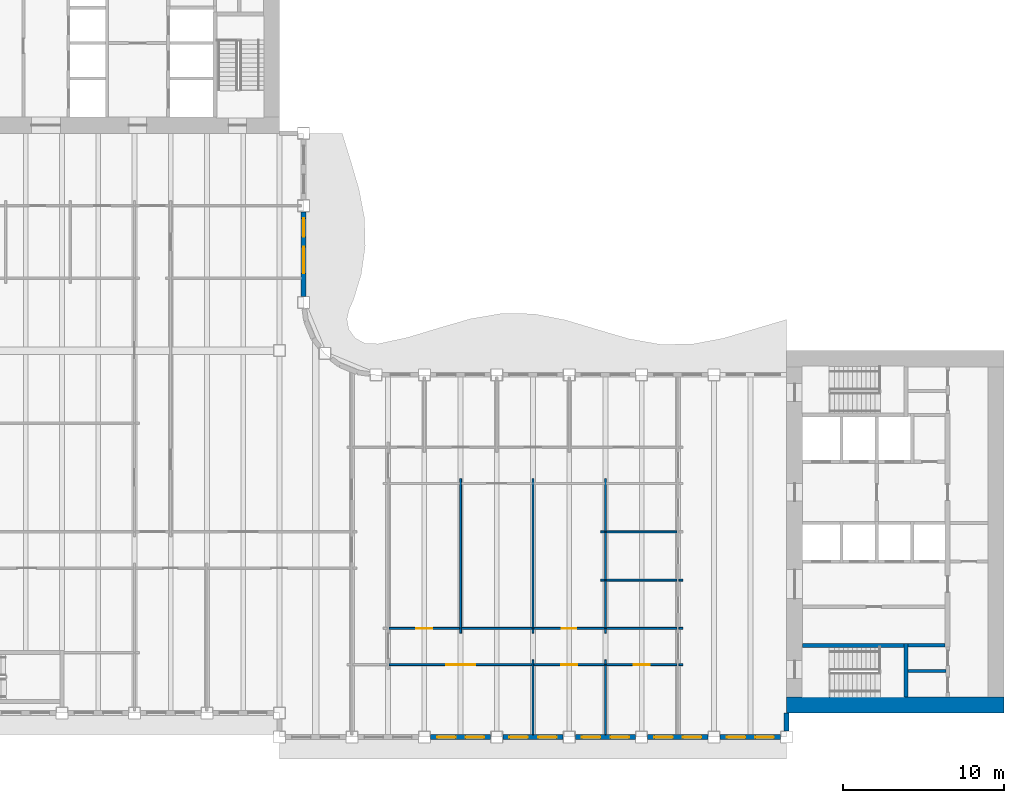
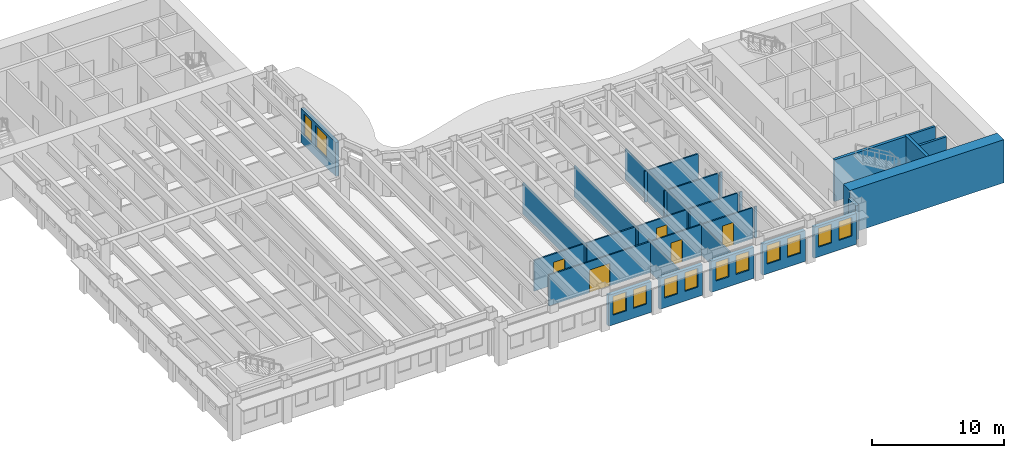
# One storey, part 5 of 16: 31 walls, 12 windows, 5 doors, 17 openings.
"""IFC4 building model written with IfcOpenShell, lengths in metres."""

from ifc_helpers import new_model, si_unit, direction, frame, frame_2d, origin, place, context, subcontext, project, spatial, rectangle, extrude, material, layer, layer_set, type_object, element, fill, save


model = new_model("IFC4")

# Units and contexts
model_context = context("Model", 3, precision=1e-05, world=origin(), true_north=direction((0.0, 1.0)))
body_context = subcontext(model_context, "Body", "Model", "MODEL_VIEW")
ifc_project = project(units=[si_unit("LENGTHUNIT", "METRE"), si_unit("AREAUNIT", "SQUARE_METRE"), si_unit("VOLUMEUNIT", "CUBIC_METRE"), si_unit("PLANEANGLEUNIT", "RADIAN"), si_unit("MASSUNIT", "GRAM", prefix="KILO")], contexts=[model_context])

# Site, building, storey
site_placement = place(None, origin())
site = spatial("IfcSite", under=ifc_project, at=site_placement, CompositionType="ELEMENT")
building_placement = place(site_placement, origin())
building = spatial("IfcBuilding", under=site, at=building_placement, Name="Sennacour Bend Tower", CompositionType="ELEMENT")
storey_placement = place(building_placement, frame((0.0, 0.0, 227.0)))
storey = spatial("IfcBuildingStorey", under=building, at=storey_placement, Name="L52", CompositionType="ELEMENT", Elevation=227.0)

# Walls
ifc_material_1 = material(Name="Concrete C60/75", Category="concrete")
ifc_layer_1 = layer(ifc_material_1, 1.0, Name="Concrete C60/75", Category="concrete")
ifc_layer_set_1 = layer_set([ifc_layer_1], Name="Concrete C60/75")
wall_type_1 = type_object("IfcWallType", Name="Core wall 1000 C60/75", PredefinedType="SHEAR", material=ifc_layer_set_1)
wall_1_placement = place(storey_placement, frame((67.5, 0.5, -0.14990234375), z_axis=(0.0, 0.0, 1.0), x_axis=(-1.0, 0.0, 0.0)))
element("IfcWall", 1, at=wall_1_placement, inside=storey, type_object=wall_type_1, Name="Core A wall L52 S", PredefinedType="SHEAR", context=body_context, shape_type="SweptSolid", body=[
    extrude(rectangle(XDim=13.5, YDim=1.0, at=frame_2d((6.75, 0.0))), origin(), (0.0, 0.0, 1.0), 4.0),
])
ifc_material_2 = material(Name="Plasterboard partition on steel studs", Category="steel")
ifc_layer_2 = layer(ifc_material_2, 0.1201171875, Name="Plasterboard partition on steel studs", Category="steel")
ifc_layer_set_2 = layer_set([ifc_layer_2], Name="Plasterboard partition on steel studs")
wall_type_2 = type_object("IfcWallType", Name="Partition 120", PredefinedType="PARTITIONING", material=ifc_layer_set_2)
wall_2_placement = place(storey_placement, frame((33.75, 4.949951171875, 0.0), z_axis=(0.0, 0.0, 1.0), x_axis=(0.0, 1.0, 0.0)))
element("IfcWall", 2, at=wall_2_placement, inside=storey, type_object=wall_type_2, Name="P-L52-W029a", PredefinedType="PARTITIONING", context=body_context, shape_type="SweptSolid", body=[
    extrude(rectangle(XDim=9.60009765625, YDim=0.1201171875, at=frame_2d((4.800048828125, 0.0))), origin(), (0.0, 0.0, 1.0), 2.8701171875),
])
wall_3_placement = place(storey_placement, frame((38.25, -1.35009765625, 0.0), z_axis=(0.0, 0.0, 1.0), x_axis=(0.0, 1.0, 0.0)))
element("IfcWall", 3, at=wall_3_placement, inside=storey, type_object=wall_type_2, Name="P-L52-W031a", PredefinedType="PARTITIONING", context=body_context, shape_type="SweptSolid", body=[
    extrude(rectangle(XDim=4.650146484375, YDim=0.1201171875, at=frame_2d((2.3251953125, 0.0))), origin(), (0.0, 0.0, 1.0), 2.8701171875),
])
wall_4_placement = place(storey_placement, frame((38.25, 4.949951171875, 0.0), z_axis=(0.0, 0.0, 1.0), x_axis=(0.0, 1.0, 0.0)))
element("IfcWall", 4, at=wall_4_placement, inside=storey, type_object=wall_type_2, Name="P-L52-W032a", PredefinedType="PARTITIONING", context=body_context, shape_type="SweptSolid", body=[
    extrude(rectangle(XDim=9.60009765625, YDim=0.1201171875, at=frame_2d((4.800048828125, 0.0))), origin(), (0.0, 0.0, 1.0), 2.8701171875),
])
wall_5_placement = place(storey_placement, frame((42.75, -1.35009765625, 0.0), z_axis=(0.0, 0.0, 1.0), x_axis=(0.0, 1.0, 0.0)))
element("IfcWall", 5, at=wall_5_placement, inside=storey, type_object=wall_type_2, Name="P-L52-W034a", PredefinedType="PARTITIONING", context=body_context, shape_type="SweptSolid", body=[
    extrude(rectangle(XDim=4.650146484375, YDim=0.1201171875, at=frame_2d((2.3251953125, 0.0))), origin(), (0.0, 0.0, 1.0), 2.8701171875),
])
wall_6_placement = place(storey_placement, frame((42.75, 4.949951171875, 0.0), z_axis=(0.0, 0.0, 1.0), x_axis=(0.0, 1.0, 0.0)))
element("IfcWall", 6, at=wall_6_placement, inside=storey, type_object=wall_type_2, Name="P-L52-W035a", PredefinedType="PARTITIONING", context=body_context, shape_type="SweptSolid", body=[
    extrude(rectangle(XDim=9.60009765625, YDim=0.1201171875, at=frame_2d((4.800048828125, 0.0))), origin(), (0.0, 0.0, 1.0), 2.8701171875),
])

# Wall, opening, door
wall_7_placement = place(storey_placement, frame((29.31005859375, 3.0, 0.0), z_axis=(0.0, 0.0, 1.0), x_axis=(1.0, 0.0, 0.0)))
wall_7 = element("IfcWall", 7, at=wall_7_placement, inside=storey, type_object=wall_type_2, Name="P-L52-W053ac", PredefinedType="PARTITIONING", context=body_context, shape_type="SweptSolid", body=[
    extrude(rectangle(XDim=8.8798828125, YDim=0.1201171875, at=frame_2d((4.43994140625, 0.0))), origin(), (0.0, 0.0, 1.0), 2.8701171875),
])
opening_1_placement = place(wall_7_placement, frame((3.539794921875, 0.0, 0.0)))
opening_1 = element("IfcOpeningElement", 8, at=opening_1_placement, cuts=wall_7, Name="Opening OD3", PredefinedType="OPENING", context=body_context, shape_type="SweptSolid", body=[
    extrude(rectangle(XDim=1.800048828125, YDim=2.10009765625, at=frame_2d((0.89990234375, 1.050048828125))), frame((0.0, 0.070068359375, 0.0), z_axis=(0.0, -1.0, 0.0), x_axis=(1.0, 0.0, 0.0)), (0.0, 0.0, 1.0), 0.14013671875),
])
ifc_material_3 = material(Name="Timber", Category="wood")
door_type_1 = type_object("IfcDoorType", Name="DR-OFFICE-1800", OperationType="NOTDEFINED", PredefinedType="DOOR", material=ifc_material_3)
door_1_placement = place(opening_1_placement, origin())
door_1 = element("IfcDoor", 9, at=door_1_placement, inside=storey, type_object=door_type_1, Name="Door", OperationType="DOUBLE_DOOR_SINGLE_SWING", OverallHeight=2.10009765625, OverallWidth=1.800048828125, PredefinedType="DOOR", context=body_context, shape_type="SweptSolid", body=[
    extrude(rectangle(XDim=1.800048828125, YDim=2.10009765625, at=frame_2d((0.89990234375, 1.050048828125))), frame((0.0, 0.02490234375, 0.0), z_axis=(0.0, -1.0, 0.0), x_axis=(1.0, 0.0, 0.0)), (0.0, 0.0, 1.0), 0.050048828125),
])
fill(opening_1, door_1)

wall_8_placement = place(storey_placement, frame((38.31005859375, 3.0, 0.0), z_axis=(0.0, 0.0, 1.0), x_axis=(1.0, 0.0, 0.0)))
wall_8 = element("IfcWall", 10, at=wall_8_placement, inside=storey, type_object=wall_type_2, Name="P-L52-W053ad", PredefinedType="PARTITIONING", context=body_context, shape_type="SweptSolid", body=[
    extrude(rectangle(XDim=4.3798828125, YDim=0.1201171875, at=frame_2d((2.18994140625, 0.0))), origin(), (0.0, 0.0, 1.0), 2.8701171875),
])
opening_2_placement = place(wall_8_placement, frame((1.68994140625, 0.0, 0.0)))
opening_2 = element("IfcOpeningElement", 11, at=opening_2_placement, cuts=wall_8, Name="Opening OD2", PredefinedType="OPENING", context=body_context, shape_type="SweptSolid", body=[
    extrude(rectangle(XDim=1.0, YDim=2.10009765625, at=frame_2d((0.5, 1.050048828125))), frame((0.0, 0.070068359375, 0.0), z_axis=(0.0, -1.0, 0.0), x_axis=(1.0, 0.0, 0.0)), (0.0, 0.0, 1.0), 0.14013671875),
])
door_type_2 = type_object("IfcDoorType", Name="DR-OFFICE-1000", OperationType="NOTDEFINED", PredefinedType="DOOR", material=ifc_material_3)
door_2_placement = place(opening_2_placement, origin())
door_2 = element("IfcDoor", 12, at=door_2_placement, inside=storey, type_object=door_type_2, Name="Door", OperationType="SINGLE_SWING_LEFT", OverallHeight=2.10009765625, OverallWidth=1.0, PredefinedType="DOOR", context=body_context, shape_type="SweptSolid", body=[
    extrude(rectangle(XDim=1.0, YDim=2.10009765625, at=frame_2d((0.5, 1.050048828125))), frame((0.0, 0.02490234375, 0.0), z_axis=(0.0, -1.0, 0.0), x_axis=(1.0, 0.0, 0.0)), (0.0, 0.0, 1.0), 0.050048828125),
])
fill(opening_2, door_2)

wall_9_placement = place(storey_placement, frame((42.81005859375, 3.0, 0.0), z_axis=(0.0, 0.0, 1.0), x_axis=(1.0, 0.0, 0.0)))
wall_9 = element("IfcWall", 13, at=wall_9_placement, inside=storey, type_object=wall_type_2, Name="P-L52-W053ae", PredefinedType="PARTITIONING", context=body_context, shape_type="SweptSolid", body=[
    extrude(rectangle(XDim=4.3798828125, YDim=0.1201171875, at=frame_2d((2.18994140625, 0.0))), origin(), (0.0, 0.0, 1.0), 2.8701171875),
])
opening_3_placement = place(wall_9_placement, frame((1.68994140625, 0.0, 0.0)))
opening_3 = element("IfcOpeningElement", 14, at=opening_3_placement, cuts=wall_9, Name="Opening OD2", PredefinedType="OPENING", context=body_context, shape_type="SweptSolid", body=[
    extrude(rectangle(XDim=1.0, YDim=2.10009765625, at=frame_2d((0.5, 1.050048828125))), frame((0.0, 0.070068359375, 0.0), z_axis=(0.0, -1.0, 0.0), x_axis=(1.0, 0.0, 0.0)), (0.0, 0.0, 1.0), 0.14013671875),
])
door_3_placement = place(opening_3_placement, origin())
door_3 = element("IfcDoor", 15, at=door_3_placement, inside=storey, type_object=door_type_2, Name="Door", OperationType="SINGLE_SWING_LEFT", OverallHeight=2.10009765625, OverallWidth=1.0, PredefinedType="DOOR", context=body_context, shape_type="SweptSolid", body=[
    extrude(rectangle(XDim=1.0, YDim=2.10009765625, at=frame_2d((0.5, 1.050048828125))), frame((0.0, 0.02490234375, 0.0), z_axis=(0.0, -1.0, 0.0), x_axis=(1.0, 0.0, 0.0)), (0.0, 0.0, 1.0), 0.050048828125),
])
fill(opening_3, door_3)

# Wall
wall_10_placement = place(storey_placement, frame((47.31005859375, 3.0, 0.0), z_axis=(0.0, 0.0, 1.0), x_axis=(1.0, 0.0, 0.0)))
element("IfcWall", 16, at=wall_10_placement, inside=storey, type_object=wall_type_2, Name="P-L52-W053af", PredefinedType="PARTITIONING", context=body_context, shape_type="SweptSolid", body=[
    extrude(rectangle(XDim=0.239990234375, YDim=0.1201171875, at=frame_2d((0.1201171875, 0.0))), origin(), (0.0, 0.0, 1.0), 2.8701171875),
])

# Wall, opening, door
wall_11_placement = place(storey_placement, frame((29.31005859375, 5.25, 0.0), z_axis=(0.0, 0.0, 1.0), x_axis=(1.0, 0.0, 0.0)))
wall_11 = element("IfcWall", 17, at=wall_11_placement, inside=storey, type_object=wall_type_2, Name="P-L52-W059ab", PredefinedType="PARTITIONING", context=body_context, shape_type="SweptSolid", body=[
    extrude(rectangle(XDim=4.3798828125, YDim=0.1201171875, at=frame_2d((2.18994140625, 0.0))), origin(), (0.0, 0.0, 1.0), 2.8701171875),
])
opening_4_placement = place(wall_11_placement, frame((1.68994140625, 0.0, 0.0)))
opening_4 = element("IfcOpeningElement", 18, at=opening_4_placement, cuts=wall_11, Name="Opening OD2", PredefinedType="OPENING", context=body_context, shape_type="SweptSolid", body=[
    extrude(rectangle(XDim=1.0, YDim=2.10009765625, at=frame_2d((0.5, 1.050048828125))), frame((0.0, 0.070068359375, 0.0), z_axis=(0.0, -1.0, 0.0), x_axis=(1.0, 0.0, 0.0)), (0.0, 0.0, 1.0), 0.14013671875),
])
door_4_placement = place(opening_4_placement, origin())
door_4 = element("IfcDoor", 19, at=door_4_placement, inside=storey, type_object=door_type_2, Name="Door", OperationType="SINGLE_SWING_LEFT", OverallHeight=2.10009765625, OverallWidth=1.0, PredefinedType="DOOR", context=body_context, shape_type="SweptSolid", body=[
    extrude(rectangle(XDim=1.0, YDim=2.10009765625, at=frame_2d((0.5, 1.050048828125))), frame((0.0, 0.02490234375, 0.0), z_axis=(0.0, -1.0, 0.0), x_axis=(1.0, 0.0, 0.0)), (0.0, 0.0, 1.0), 0.050048828125),
])
fill(opening_4, door_4)

# Walls
for number, where, z_axis, x_axis, name in (
    (20, (33.81005859375, 5.25, 0.0), (0.0, 0.0, 1.0), (1.0, 0.0, 0.0), "P-L52-W059ac"),
    (21, (42.81005859375, 5.25, 0.0), (0.0, 0.0, 1.0), (1.0, 0.0, 0.0), "P-L52-W059ae"),
):
    element("IfcWall", number, at=place(storey_placement, frame(where, z_axis=z_axis, x_axis=x_axis)), inside=storey, type_object=wall_type_2, Name=name, PredefinedType="PARTITIONING", context=body_context, shape_type="SweptSolid", body=[
        extrude(rectangle(XDim=4.3798828125, YDim=0.1201171875, at=frame_2d((2.18994140625, 0.0))), origin(), (0.0, 0.0, 1.0), 2.8701171875),
    ])
for number, where, z_axis, x_axis, name in (
    (22, (47.31005859375, 5.25, 0.0), (0.0, 0.0, 1.0), (1.0, 0.0, 0.0), "P-L52-W059af"),
    (23, (42.449951171875, 8.25, 0.0), (0.0, 0.0, 1.0), (1.0, 0.0, 0.0), "P-L52-W061aa"),
):
    element("IfcWall", number, at=place(storey_placement, frame(where, z_axis=z_axis, x_axis=x_axis)), inside=storey, type_object=wall_type_2, Name=name, PredefinedType="PARTITIONING", context=body_context, shape_type="SweptSolid", body=[
        extrude(rectangle(XDim=0.239990234375, YDim=0.1201171875, at=frame_2d((0.1201171875, 0.0))), origin(), (0.0, 0.0, 1.0), 2.8701171875),
    ])
wall_12_placement = place(storey_placement, frame((42.81005859375, 8.25, 0.0), z_axis=(0.0, 0.0, 1.0), x_axis=(1.0, 0.0, 0.0)))
element("IfcWall", 24, at=wall_12_placement, inside=storey, type_object=wall_type_2, Name="P-L52-W061ab", PredefinedType="PARTITIONING", context=body_context, shape_type="SweptSolid", body=[
    extrude(rectangle(XDim=4.3798828125, YDim=0.1201171875, at=frame_2d((2.18994140625, 0.0))), origin(), (0.0, 0.0, 1.0), 2.8701171875),
])
for number, where, z_axis, x_axis, name in (
    (25, (47.31005859375, 8.25, 0.0), (0.0, 0.0, 1.0), (1.0, 0.0, 0.0), "P-L52-W061ac"),
    (26, (42.449951171875, 11.25, 0.0), (0.0, 0.0, 1.0), (1.0, 0.0, 0.0), "P-L52-W066aa"),
):
    element("IfcWall", number, at=place(storey_placement, frame(where, z_axis=z_axis, x_axis=x_axis)), inside=storey, type_object=wall_type_2, Name=name, PredefinedType="PARTITIONING", context=body_context, shape_type="SweptSolid", body=[
        extrude(rectangle(XDim=0.239990234375, YDim=0.1201171875, at=frame_2d((0.1201171875, 0.0))), origin(), (0.0, 0.0, 1.0), 2.8701171875),
    ])
wall_13_placement = place(storey_placement, frame((42.81005859375, 11.25, 0.0), z_axis=(0.0, 0.0, 1.0), x_axis=(1.0, 0.0, 0.0)))
element("IfcWall", 27, at=wall_13_placement, inside=storey, type_object=wall_type_2, Name="P-L52-W066ab", PredefinedType="PARTITIONING", context=body_context, shape_type="SweptSolid", body=[
    extrude(rectangle(XDim=4.3798828125, YDim=0.1201171875, at=frame_2d((2.18994140625, 0.0))), origin(), (0.0, 0.0, 1.0), 2.8701171875),
])

# Wall, opening, door
ifc_layer_3 = layer(ifc_material_2, 0.1201171875, Name="Plasterboard partition on steel studs", Category="steel")
ifc_layer_set_3 = layer_set([ifc_layer_3], Name="Plasterboard partition on steel studs")
wall_type_3 = type_object("IfcWallType", Name="Partition 120 EI 60", PredefinedType="PARTITIONING", material=ifc_layer_set_3)
wall_14_placement = place(storey_placement, frame((38.31005859375, 5.25, 0.0), z_axis=(0.0, 0.0, 1.0), x_axis=(1.0, 0.0, 0.0)))
wall_14 = element("IfcWall", 28, at=wall_14_placement, inside=storey, type_object=wall_type_3, Name="P-L52-W059ad", PredefinedType="PARTITIONING", context=body_context, shape_type="SweptSolid", body=[
    extrude(rectangle(XDim=4.3798828125, YDim=0.1201171875, at=frame_2d((2.18994140625, 0.0))), origin(), (0.0, 0.0, 1.0), 2.8701171875),
])
opening_5_placement = place(wall_14_placement, frame((1.739990234375, 0.0, 0.0)))
opening_5 = element("IfcOpeningElement", 29, at=opening_5_placement, cuts=wall_14, Name="Opening SV", PredefinedType="OPENING", context=body_context, shape_type="SweptSolid", body=[
    extrude(rectangle(XDim=0.89990234375, YDim=2.10009765625, at=frame_2d((0.449951171875, 1.050048828125))), frame((0.0, 0.070068359375, 0.0), z_axis=(0.0, -1.0, 0.0), x_axis=(1.0, 0.0, 0.0)), (0.0, 0.0, 1.0), 0.14013671875),
])
ifc_material_4 = material(Name="Painted steel", Category="steel")
door_type_3 = type_object("IfcDoorType", Name="DR-SERVICE-900", OperationType="NOTDEFINED", PredefinedType="DOOR", material=ifc_material_4)
door_5_placement = place(opening_5_placement, origin())
door_5 = element("IfcDoor", 30, at=door_5_placement, inside=storey, type_object=door_type_3, Name="Door", OperationType="SINGLE_SWING_LEFT", OverallHeight=2.10009765625, OverallWidth=0.89990234375, PredefinedType="DOOR", context=body_context, shape_type="SweptSolid", body=[
    extrude(rectangle(XDim=0.89990234375, YDim=2.10009765625, at=frame_2d((0.449951171875, 1.050048828125))), frame((0.0, 0.02490234375, 0.0), z_axis=(0.0, -1.0, 0.0), x_axis=(1.0, 0.0, 0.0)), (0.0, 0.0, 1.0), 0.050048828125),
])
fill(opening_5, door_5)

# Walls
ifc_material_5 = material(Name="Fire-rated plasterboard partition on steel studs", Category="steel")
ifc_layer_4 = layer(ifc_material_5, 0.199951171875, Name="Fire-rated plasterboard partition on steel studs", Category="steel")
ifc_layer_set_4 = layer_set([ifc_layer_4], Name="Fire-rated plasterboard partition on steel studs")
wall_type_4 = type_object("IfcWallType", Name="Rated partition 200", PredefinedType="PARTITIONING", material=ifc_layer_set_4)
wall_15_placement = place(storey_placement, frame((61.52490234375, 2.60009765625, 0.0), z_axis=(0.0, 0.0, 1.0), x_axis=(1.0, 0.0, 0.0)))
element("IfcWall", 31, at=wall_15_placement, inside=storey, type_object=wall_type_4, Name="P-L52-W052", PredefinedType="PARTITIONING", context=body_context, shape_type="SweptSolid", body=[
    extrude(rectangle(XDim=2.375, YDim=0.199951171875, at=frame_2d((1.1875, 0.0))), origin(), (0.0, 0.0, 1.0), 3.85009765625),
])
wall_16_placement = place(storey_placement, frame((61.52490234375, 4.199951171875, 0.0), z_axis=(0.0, 0.0, 1.0), x_axis=(1.0, 0.0, 0.0)))
element("IfcWall", 32, at=wall_16_placement, inside=storey, type_object=wall_type_4, Name="P-L52-W058", PredefinedType="PARTITIONING", context=body_context, shape_type="SweptSolid", body=[
    extrude(rectangle(XDim=2.3251953125, YDim=0.199951171875, at=frame_2d((1.16259765625, 0.0))), origin(), (0.0, 0.0, 1.0), 3.85009765625),
])

# Wall, openings, windows
ifc_material_6 = material(Name="Warm limestone cladding", Category="masonry")
ifc_layer_5 = layer(ifc_material_6, 0.050048828125, Name="Warm limestone cladding", Category="masonry")
ifc_material_7 = material(Name="Precast concrete C40/50", Category="concrete")
ifc_layer_6 = layer(ifc_material_7, 0.25, Name="Precast concrete C40/50", Category="concrete")
ifc_layer_set_5 = layer_set([ifc_layer_5, ifc_layer_6], Name="Precast concrete C40/50 with limestone cladding")
wall_type_5 = type_object("IfcWallType", Name="STONE-CLAD PRECAST SPANDREL 300", PredefinedType="STANDARD", material=ifc_layer_set_5)
wall_17_placement = place(storey_placement, frame((31.875, -1.5, 0.0), z_axis=(0.0, 0.0, 1.0), x_axis=(1.0, 0.0, 0.0)))
wall_17 = element("IfcWall", 33, at=wall_17_placement, inside=storey, type_object=wall_type_5, Name="Stone spandrel and pier wall L52 00.02", PredefinedType="STANDARD", context=body_context, shape_type="SweptSolid", body=[
    extrude(rectangle(XDim=3.75, YDim=0.300048828125, at=frame_2d((1.875, 0.0))), origin(), (0.0, 0.0, 1.0), 2.8701171875),
])
opening_6_placement = place(wall_17_placement, frame((0.41259765625, 0.0, 0.89990234375)))
opening_6 = element("IfcOpeningElement", 34, at=opening_6_placement, cuts=wall_17, Name="Opening W23", PredefinedType="OPENING", context=body_context, shape_type="SweptSolid", body=[
    extrude(rectangle(XDim=1.14990234375, YDim=1.75, at=frame_2d((0.574951171875, 0.875))), frame((0.0, 0.16015625, 0.0), z_axis=(0.0, -1.0, 0.0), x_axis=(1.0, 0.0, 0.0)), (0.0, 0.0, 1.0), 0.320068359375),
])
opening_7_placement = place(wall_17_placement, frame((2.1875, 0.0, 0.89990234375)))
opening_7 = element("IfcOpeningElement", 35, at=opening_7_placement, cuts=wall_17, Name="Opening W23", PredefinedType="OPENING", context=body_context, shape_type="SweptSolid", body=[
    extrude(rectangle(XDim=1.14990234375, YDim=1.75, at=frame_2d((0.574951171875, 0.875))), frame((0.0, 0.16015625, 0.0), z_axis=(0.0, -1.0, 0.0), x_axis=(1.0, 0.0, 0.0)), (0.0, 0.0, 1.0), 0.320068359375),
])
ifc_material_8 = material(Name="Clear low-emissivity glass", Category="glass")
window_type_1 = type_object("IfcWindowType", Name="WIN-RIBBON-1150x1750", PartitioningType="SINGLE_PANEL", PredefinedType="WINDOW", material=ifc_material_8)
window_1_placement = place(opening_6_placement, origin())
window_1 = element("IfcWindow", 36, at=window_1_placement, inside=storey, type_object=window_type_1, Name="Ribbon window L52 00.02.0", OverallHeight=1.75, OverallWidth=1.14990234375, PartitioningType="SINGLE_PANEL", PredefinedType="WINDOW", context=body_context, shape_type="SweptSolid", body=[
    extrude(rectangle(XDim=1.14990234375, YDim=1.75, at=frame_2d((0.574951171875, 0.875))), frame((0.0, 0.030029296875, 0.0), z_axis=(0.0, -1.0, 0.0), x_axis=(1.0, 0.0, 0.0)), (0.0, 0.0, 1.0), 0.06005859375),
])
fill(opening_6, window_1)
window_2_placement = place(opening_7_placement, origin())
window_2 = element("IfcWindow", 37, at=window_2_placement, inside=storey, type_object=window_type_1, Name="Ribbon window L52 00.02.1", OverallHeight=1.75, OverallWidth=1.14990234375, PartitioningType="SINGLE_PANEL", PredefinedType="WINDOW", context=body_context, shape_type="SweptSolid", body=[
    extrude(rectangle(XDim=1.14990234375, YDim=1.75, at=frame_2d((0.574951171875, 0.875))), frame((0.0, 0.030029296875, 0.0), z_axis=(0.0, -1.0, 0.0), x_axis=(1.0, 0.0, 0.0)), (0.0, 0.0, 1.0), 0.06005859375),
])
fill(opening_7, window_2)

wall_18_placement = place(storey_placement, frame((36.375, -1.5, 0.0), z_axis=(0.0, 0.0, 1.0), x_axis=(1.0, 0.0, 0.0)))
wall_18 = element("IfcWall", 38, at=wall_18_placement, inside=storey, type_object=wall_type_5, Name="Stone spandrel and pier wall L52 00.03", PredefinedType="STANDARD", context=body_context, shape_type="SweptSolid", body=[
    extrude(rectangle(XDim=3.75, YDim=0.300048828125, at=frame_2d((1.875, 0.0))), origin(), (0.0, 0.0, 1.0), 2.8701171875),
])
opening_8_placement = place(wall_18_placement, frame((0.41259765625, 0.0, 0.89990234375)))
opening_8 = element("IfcOpeningElement", 39, at=opening_8_placement, cuts=wall_18, Name="Opening W23", PredefinedType="OPENING", context=body_context, shape_type="SweptSolid", body=[
    extrude(rectangle(XDim=1.14990234375, YDim=1.75, at=frame_2d((0.574951171875, 0.875))), frame((0.0, 0.16015625, 0.0), z_axis=(0.0, -1.0, 0.0), x_axis=(1.0, 0.0, 0.0)), (0.0, 0.0, 1.0), 0.320068359375),
])
opening_9_placement = place(wall_18_placement, frame((2.1875, 0.0, 0.89990234375)))
opening_9 = element("IfcOpeningElement", 40, at=opening_9_placement, cuts=wall_18, Name="Opening W23", PredefinedType="OPENING", context=body_context, shape_type="SweptSolid", body=[
    extrude(rectangle(XDim=1.14990234375, YDim=1.75, at=frame_2d((0.574951171875, 0.875))), frame((0.0, 0.16015625, 0.0), z_axis=(0.0, -1.0, 0.0), x_axis=(1.0, 0.0, 0.0)), (0.0, 0.0, 1.0), 0.320068359375),
])
window_3_placement = place(opening_8_placement, origin())
window_3 = element("IfcWindow", 41, at=window_3_placement, inside=storey, type_object=window_type_1, Name="Ribbon window L52 00.03.0", OverallHeight=1.75, OverallWidth=1.14990234375, PartitioningType="SINGLE_PANEL", PredefinedType="WINDOW", context=body_context, shape_type="SweptSolid", body=[
    extrude(rectangle(XDim=1.14990234375, YDim=1.75, at=frame_2d((0.574951171875, 0.875))), frame((0.0, 0.030029296875, 0.0), z_axis=(0.0, -1.0, 0.0), x_axis=(1.0, 0.0, 0.0)), (0.0, 0.0, 1.0), 0.06005859375),
])
fill(opening_8, window_3)
window_4_placement = place(opening_9_placement, origin())
window_4 = element("IfcWindow", 42, at=window_4_placement, inside=storey, type_object=window_type_1, Name="Ribbon window L52 00.03.1", OverallHeight=1.75, OverallWidth=1.14990234375, PartitioningType="SINGLE_PANEL", PredefinedType="WINDOW", context=body_context, shape_type="SweptSolid", body=[
    extrude(rectangle(XDim=1.14990234375, YDim=1.75, at=frame_2d((0.574951171875, 0.875))), frame((0.0, 0.030029296875, 0.0), z_axis=(0.0, -1.0, 0.0), x_axis=(1.0, 0.0, 0.0)), (0.0, 0.0, 1.0), 0.06005859375),
])
fill(opening_9, window_4)

wall_19_placement = place(storey_placement, frame((40.875, -1.5, 0.0), z_axis=(0.0, 0.0, 1.0), x_axis=(1.0, 0.0, 0.0)))
wall_19 = element("IfcWall", 43, at=wall_19_placement, inside=storey, type_object=wall_type_5, Name="Stone spandrel and pier wall L52 00.04", PredefinedType="STANDARD", context=body_context, shape_type="SweptSolid", body=[
    extrude(rectangle(XDim=3.75, YDim=0.300048828125, at=frame_2d((1.875, 0.0))), origin(), (0.0, 0.0, 1.0), 2.8701171875),
])
opening_10_placement = place(wall_19_placement, frame((0.41259765625, 0.0, 0.89990234375)))
opening_10 = element("IfcOpeningElement", 44, at=opening_10_placement, cuts=wall_19, Name="Opening W23", PredefinedType="OPENING", context=body_context, shape_type="SweptSolid", body=[
    extrude(rectangle(XDim=1.14990234375, YDim=1.75, at=frame_2d((0.574951171875, 0.875))), frame((0.0, 0.16015625, 0.0), z_axis=(0.0, -1.0, 0.0), x_axis=(1.0, 0.0, 0.0)), (0.0, 0.0, 1.0), 0.320068359375),
])
opening_11_placement = place(wall_19_placement, frame((2.1875, 0.0, 0.89990234375)))
opening_11 = element("IfcOpeningElement", 45, at=opening_11_placement, cuts=wall_19, Name="Opening W23", PredefinedType="OPENING", context=body_context, shape_type="SweptSolid", body=[
    extrude(rectangle(XDim=1.14990234375, YDim=1.75, at=frame_2d((0.574951171875, 0.875))), frame((0.0, 0.16015625, 0.0), z_axis=(0.0, -1.0, 0.0), x_axis=(1.0, 0.0, 0.0)), (0.0, 0.0, 1.0), 0.320068359375),
])
window_5_placement = place(opening_10_placement, origin())
window_5 = element("IfcWindow", 46, at=window_5_placement, inside=storey, type_object=window_type_1, Name="Ribbon window L52 00.04.0", OverallHeight=1.75, OverallWidth=1.14990234375, PartitioningType="SINGLE_PANEL", PredefinedType="WINDOW", context=body_context, shape_type="SweptSolid", body=[
    extrude(rectangle(XDim=1.14990234375, YDim=1.75, at=frame_2d((0.574951171875, 0.875))), frame((0.0, 0.030029296875, 0.0), z_axis=(0.0, -1.0, 0.0), x_axis=(1.0, 0.0, 0.0)), (0.0, 0.0, 1.0), 0.06005859375),
])
fill(opening_10, window_5)
window_6_placement = place(opening_11_placement, origin())
window_6 = element("IfcWindow", 47, at=window_6_placement, inside=storey, type_object=window_type_1, Name="Ribbon window L52 00.04.1", OverallHeight=1.75, OverallWidth=1.14990234375, PartitioningType="SINGLE_PANEL", PredefinedType="WINDOW", context=body_context, shape_type="SweptSolid", body=[
    extrude(rectangle(XDim=1.14990234375, YDim=1.75, at=frame_2d((0.574951171875, 0.875))), frame((0.0, 0.030029296875, 0.0), z_axis=(0.0, -1.0, 0.0), x_axis=(1.0, 0.0, 0.0)), (0.0, 0.0, 1.0), 0.06005859375),
])
fill(opening_11, window_6)

wall_20_placement = place(storey_placement, frame((45.375, -1.5, 0.0), z_axis=(0.0, 0.0, 1.0), x_axis=(1.0, 0.0, 0.0)))
wall_20 = element("IfcWall", 48, at=wall_20_placement, inside=storey, type_object=wall_type_5, Name="Stone spandrel and pier wall L52 00.05", PredefinedType="STANDARD", context=body_context, shape_type="SweptSolid", body=[
    extrude(rectangle(XDim=3.75, YDim=0.300048828125, at=frame_2d((1.875, 0.0))), origin(), (0.0, 0.0, 1.0), 2.8701171875),
])
opening_12_placement = place(wall_20_placement, frame((0.41259765625, 0.0, 0.89990234375)))
opening_12 = element("IfcOpeningElement", 49, at=opening_12_placement, cuts=wall_20, Name="Opening W23", PredefinedType="OPENING", context=body_context, shape_type="SweptSolid", body=[
    extrude(rectangle(XDim=1.14990234375, YDim=1.75, at=frame_2d((0.574951171875, 0.875))), frame((0.0, 0.16015625, 0.0), z_axis=(0.0, -1.0, 0.0), x_axis=(1.0, 0.0, 0.0)), (0.0, 0.0, 1.0), 0.320068359375),
])
opening_13_placement = place(wall_20_placement, frame((2.1875, 0.0, 0.89990234375)))
opening_13 = element("IfcOpeningElement", 50, at=opening_13_placement, cuts=wall_20, Name="Opening W23", PredefinedType="OPENING", context=body_context, shape_type="SweptSolid", body=[
    extrude(rectangle(XDim=1.14990234375, YDim=1.75, at=frame_2d((0.574951171875, 0.875))), frame((0.0, 0.16015625, 0.0), z_axis=(0.0, -1.0, 0.0), x_axis=(1.0, 0.0, 0.0)), (0.0, 0.0, 1.0), 0.320068359375),
])
window_7_placement = place(opening_12_placement, origin())
window_7 = element("IfcWindow", 51, at=window_7_placement, inside=storey, type_object=window_type_1, Name="Ribbon window L52 00.05.0", OverallHeight=1.75, OverallWidth=1.14990234375, PartitioningType="SINGLE_PANEL", PredefinedType="WINDOW", context=body_context, shape_type="SweptSolid", body=[
    extrude(rectangle(XDim=1.14990234375, YDim=1.75, at=frame_2d((0.574951171875, 0.875))), frame((0.0, 0.030029296875, 0.0), z_axis=(0.0, -1.0, 0.0), x_axis=(1.0, 0.0, 0.0)), (0.0, 0.0, 1.0), 0.06005859375),
])
fill(opening_12, window_7)
window_8_placement = place(opening_13_placement, origin())
window_8 = element("IfcWindow", 52, at=window_8_placement, inside=storey, type_object=window_type_1, Name="Ribbon window L52 00.05.1", OverallHeight=1.75, OverallWidth=1.14990234375, PartitioningType="SINGLE_PANEL", PredefinedType="WINDOW", context=body_context, shape_type="SweptSolid", body=[
    extrude(rectangle(XDim=1.14990234375, YDim=1.75, at=frame_2d((0.574951171875, 0.875))), frame((0.0, 0.030029296875, 0.0), z_axis=(0.0, -1.0, 0.0), x_axis=(1.0, 0.0, 0.0)), (0.0, 0.0, 1.0), 0.06005859375),
])
fill(opening_13, window_8)

wall_21_placement = place(storey_placement, frame((49.875, -1.5, 0.0), z_axis=(0.0, 0.0, 1.0), x_axis=(1.0, 0.0, 0.0)))
wall_21 = element("IfcWall", 53, at=wall_21_placement, inside=storey, type_object=wall_type_5, Name="Stone spandrel and pier wall L52 00.06", PredefinedType="STANDARD", context=body_context, shape_type="SweptSolid", body=[
    extrude(rectangle(XDim=3.75, YDim=0.300048828125, at=frame_2d((1.875, 0.0))), origin(), (0.0, 0.0, 1.0), 2.8701171875),
])
opening_14_placement = place(wall_21_placement, frame((0.41259765625, 0.0, 0.89990234375)))
opening_14 = element("IfcOpeningElement", 54, at=opening_14_placement, cuts=wall_21, Name="Opening W23", PredefinedType="OPENING", context=body_context, shape_type="SweptSolid", body=[
    extrude(rectangle(XDim=1.14990234375, YDim=1.75, at=frame_2d((0.574951171875, 0.875))), frame((0.0, 0.16015625, 0.0), z_axis=(0.0, -1.0, 0.0), x_axis=(1.0, 0.0, 0.0)), (0.0, 0.0, 1.0), 0.320068359375),
])
opening_15_placement = place(wall_21_placement, frame((2.1875, 0.0, 0.89990234375)))
opening_15 = element("IfcOpeningElement", 55, at=opening_15_placement, cuts=wall_21, Name="Opening W23", PredefinedType="OPENING", context=body_context, shape_type="SweptSolid", body=[
    extrude(rectangle(XDim=1.14990234375, YDim=1.75, at=frame_2d((0.574951171875, 0.875))), frame((0.0, 0.16015625, 0.0), z_axis=(0.0, -1.0, 0.0), x_axis=(1.0, 0.0, 0.0)), (0.0, 0.0, 1.0), 0.320068359375),
])
window_9_placement = place(opening_14_placement, origin())
window_9 = element("IfcWindow", 56, at=window_9_placement, inside=storey, type_object=window_type_1, Name="Ribbon window L52 00.06.0", OverallHeight=1.75, OverallWidth=1.14990234375, PartitioningType="SINGLE_PANEL", PredefinedType="WINDOW", context=body_context, shape_type="SweptSolid", body=[
    extrude(rectangle(XDim=1.14990234375, YDim=1.75, at=frame_2d((0.574951171875, 0.875))), frame((0.0, 0.030029296875, 0.0), z_axis=(0.0, -1.0, 0.0), x_axis=(1.0, 0.0, 0.0)), (0.0, 0.0, 1.0), 0.06005859375),
])
fill(opening_14, window_9)
window_10_placement = place(opening_15_placement, origin())
window_10 = element("IfcWindow", 57, at=window_10_placement, inside=storey, type_object=window_type_1, Name="Ribbon window L52 00.06.1", OverallHeight=1.75, OverallWidth=1.14990234375, PartitioningType="SINGLE_PANEL", PredefinedType="WINDOW", context=body_context, shape_type="SweptSolid", body=[
    extrude(rectangle(XDim=1.14990234375, YDim=1.75, at=frame_2d((0.574951171875, 0.875))), frame((0.0, 0.030029296875, 0.0), z_axis=(0.0, -1.0, 0.0), x_axis=(1.0, 0.0, 0.0)), (0.0, 0.0, 1.0), 0.06005859375),
])
fill(opening_15, window_10)

# Wall
wall_22_placement = place(storey_placement, frame((54.0, -1.125, 0.0), z_axis=(0.0, 0.0, 1.0), x_axis=(0.0, 1.0, 0.0)))
element("IfcWall", 58, at=wall_22_placement, inside=storey, type_object=wall_type_5, Name="Stone spandrel and pier wall L52 01.00", PredefinedType="STANDARD", context=body_context, shape_type="SweptSolid", body=[
    extrude(rectangle(XDim=1.125, YDim=0.300048828125, at=frame_2d((0.5625, 0.0))), origin(), (0.0, 0.0, 1.0), 3.156982421875),
])

# Wall, openings, windows
wall_23_placement = place(storey_placement, frame((24.0, 25.875, 0.0), z_axis=(0.0, 0.0, 1.0), x_axis=(0.0, 1.0, 0.0)))
wall_23 = element("IfcWall", 59, at=wall_23_placement, inside=storey, type_object=wall_type_5, Name="Stone spandrel and pier wall L52 13.00", PredefinedType="STANDARD", context=body_context, shape_type="SweptSolid", body=[
    extrude(rectangle(XDim=5.25, YDim=0.300048828125, at=frame_2d((2.625, 0.0))), origin(), (0.0, 0.0, 1.0), 3.156982421875),
])
opening_16_placement = place(wall_23_placement, frame((1.425048828125, 0.0, 0.89990234375)))
opening_16 = element("IfcOpeningElement", 60, at=opening_16_placement, cuts=wall_23, Name="Opening W10", PredefinedType="OPENING", context=body_context, shape_type="SweptSolid", body=[
    extrude(rectangle(XDim=1.64990234375, YDim=2.0, at=frame_2d((0.824951171875, 1.0))), frame((0.0, 0.16015625, 0.0), z_axis=(0.0, -1.0, 0.0), x_axis=(1.0, 0.0, 0.0)), (0.0, 0.0, 1.0), 0.320068359375),
])
opening_17_placement = place(wall_23_placement, frame((3.6875, 0.0, 0.89990234375)))
opening_17 = element("IfcOpeningElement", 61, at=opening_17_placement, cuts=wall_23, Name="Opening W24", PredefinedType="OPENING", context=body_context, shape_type="SweptSolid", body=[
    extrude(rectangle(XDim=1.14990234375, YDim=2.0, at=frame_2d((0.574951171875, 1.0))), frame((0.0, 0.16015625, 0.0), z_axis=(0.0, -1.0, 0.0), x_axis=(1.0, 0.0, 0.0)), (0.0, 0.0, 1.0), 0.320068359375),
])
window_type_2 = type_object("IfcWindowType", Name="WIN-RIBBON-1150x2000", PartitioningType="SINGLE_PANEL", PredefinedType="WINDOW", material=ifc_material_8)
window_11_placement = place(opening_17_placement, origin())
window_11 = element("IfcWindow", 62, at=window_11_placement, inside=storey, type_object=window_type_2, Name="Ribbon window L52 13.00.1", OverallHeight=2.0, OverallWidth=1.14990234375, PartitioningType="SINGLE_PANEL", PredefinedType="WINDOW", context=body_context, shape_type="SweptSolid", body=[
    extrude(rectangle(XDim=1.14990234375, YDim=2.0, at=frame_2d((0.574951171875, 1.0))), frame((0.0, 0.030029296875, 0.0), z_axis=(0.0, -1.0, 0.0), x_axis=(1.0, 0.0, 0.0)), (0.0, 0.0, 1.0), 0.06005859375),
])
fill(opening_17, window_11)
window_type_3 = type_object("IfcWindowType", Name="WIN-RIBBON-1650x2000", PartitioningType="SINGLE_PANEL", PredefinedType="WINDOW", material=ifc_material_8)
window_12_placement = place(opening_16_placement, origin())
window_12 = element("IfcWindow", 63, at=window_12_placement, inside=storey, type_object=window_type_3, Name="Ribbon window L52 13.00.0", OverallHeight=2.0, OverallWidth=1.64990234375, PartitioningType="SINGLE_PANEL", PredefinedType="WINDOW", context=body_context, shape_type="SweptSolid", body=[
    extrude(rectangle(XDim=1.64990234375, YDim=2.0, at=frame_2d((0.824951171875, 1.0))), frame((0.0, 0.030029296875, 0.0), z_axis=(0.0, -1.0, 0.0), x_axis=(1.0, 0.0, 0.0)), (0.0, 0.0, 1.0), 0.06005859375),
])
fill(opening_16, window_12)

# Walls
ifc_layer_7 = layer(ifc_material_1, 0.25, Name="Concrete C60/75", Category="concrete")
ifc_layer_set_6 = layer_set([ifc_layer_7], Name="Concrete C60/75")
wall_type_6 = type_object("IfcWallType", Name="Stair wall 250", PredefinedType="SHEAR", material=ifc_layer_set_6)
wall_24_placement = place(storey_placement, frame((61.39990234375, 1.0, 0.0), z_axis=(0.0, 0.0, 1.0), x_axis=(0.0, 1.0, 0.0)))
element("IfcWall", 64, at=wall_24_placement, inside=storey, type_object=wall_type_6, Name="P-L52-W043", PredefinedType="SHEAR", context=body_context, shape_type="SweptSolid", body=[
    extrude(rectangle(XDim=3.324951171875, YDim=0.25, at=frame_2d((1.66259765625, 0.0))), origin(), (0.0, 0.0, 1.0), 3.85009765625),
])
wall_25_placement = place(storey_placement, frame((55.0, 4.199951171875, 0.0), z_axis=(0.0, 0.0, 1.0), x_axis=(1.0, 0.0, 0.0)))
element("IfcWall", 65, at=wall_25_placement, inside=storey, type_object=wall_type_6, Name="P-L52-W057", PredefinedType="SHEAR", context=body_context, shape_type="SweptSolid", body=[
    extrude(rectangle(XDim=6.27490234375, YDim=0.25, at=frame_2d((3.137451171875, 0.0))), origin(), (0.0, 0.0, 1.0), 3.85009765625),
])

save(model, "model.ifc")
